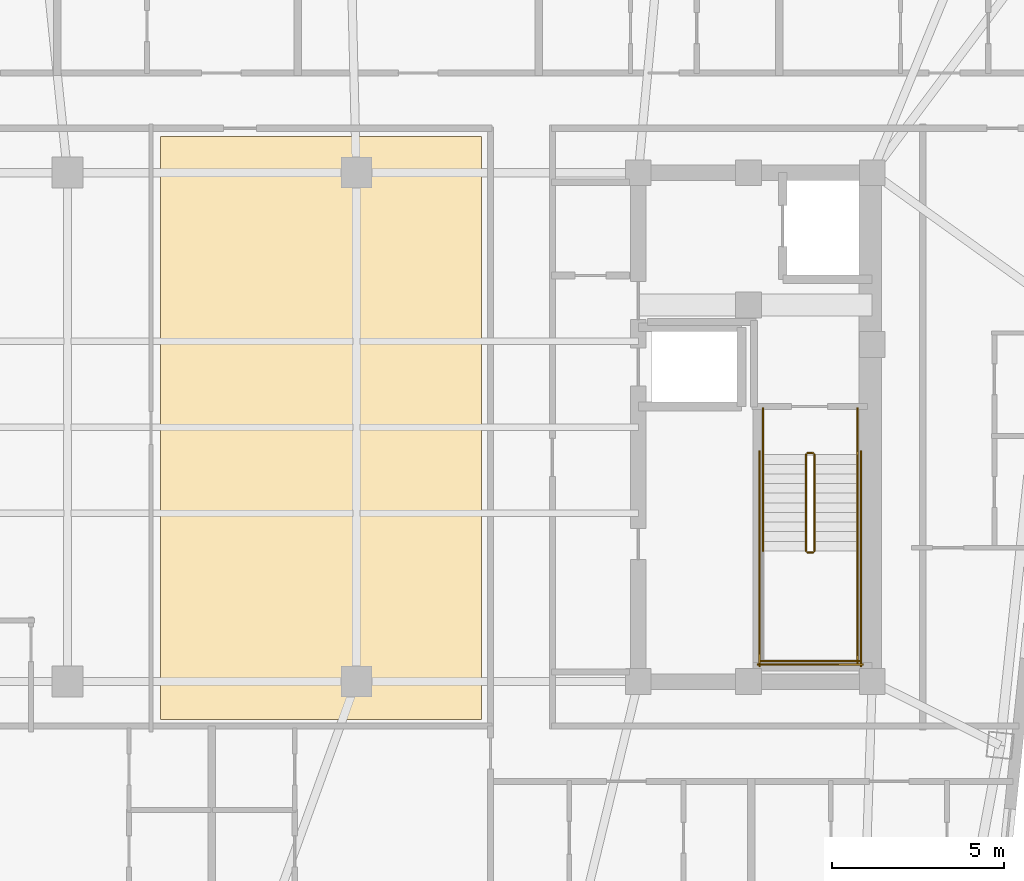
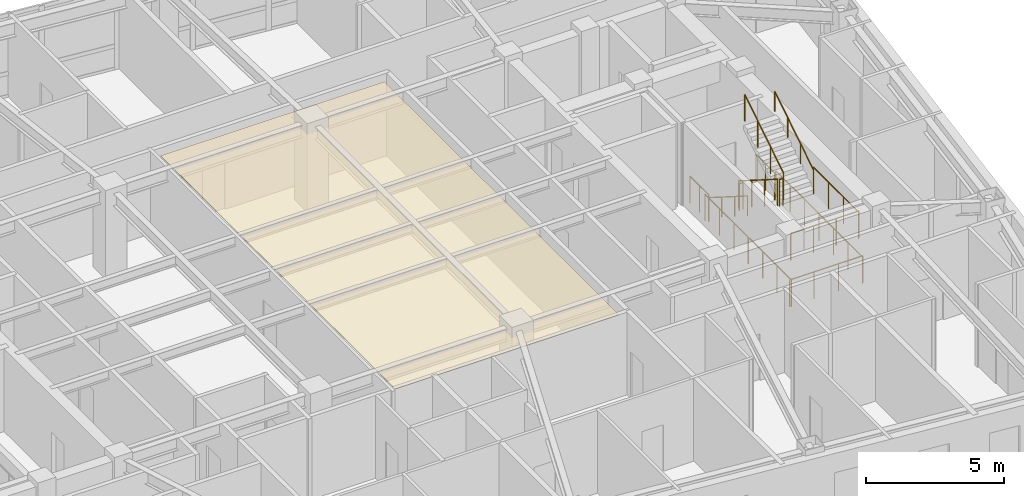
# One storey, part 15 of 16: 13 railings, 1 covering.
"""IFC4 building model written with IfcOpenShell, lengths in metres."""

from ifc_helpers import new_model, si_unit, direction, frame, origin, origin_2d, place, context, subcontext, project, spatial, polyline, circle, outline, extrude, material, layer, layer_set, type_object, element, save


model = new_model("IFC4")

# Units and contexts
model_context = context("Model", 3, precision=1e-05, world=origin(), true_north=direction((0.0, 1.0)))
body_context = subcontext(model_context, "Body", "Model", "MODEL_VIEW")
ifc_project = project(units=[si_unit("LENGTHUNIT", "METRE"), si_unit("AREAUNIT", "SQUARE_METRE"), si_unit("VOLUMEUNIT", "CUBIC_METRE"), si_unit("PLANEANGLEUNIT", "RADIAN"), si_unit("MASSUNIT", "GRAM", prefix="KILO")], contexts=[model_context])

# Site, building, storey
site_placement = place(None, origin())
site = spatial("IfcSite", under=ifc_project, at=site_placement, CompositionType="ELEMENT")
building_placement = place(site_placement, origin())
building = spatial("IfcBuilding", under=site, at=building_placement, Name="Voryun Gate Residences", CompositionType="ELEMENT")
storey_placement = place(building_placement, frame((0.0, 0.0, 267.800048828125)))
storey = spatial("IfcBuildingStorey", under=building, at=storey_placement, Name="L66", CompositionType="ELEMENT", Elevation=267.800048828125)

# Covering
ifc_material_1 = material(Name="Gypsum acoustic ceiling")
ifc_layer = layer(ifc_material_1, 0.02490234375, Name="COV_CEILING_ACOUSTIC")
ifc_layer_set = layer_set([ifc_layer], Name="Gypsum acoustic ceiling")
covering_type = type_object("IfcCoveringType", Name="COV_CEILING_ACOUSTIC", PredefinedType="CEILING", material=ifc_layer_set)
covering_placement = place(storey_placement, frame((0.0, 0.0, 3.39990234375)))
element("IfcCovering", 1, at=covering_placement, inside=storey, type_object=covering_type, Name="Acoustic ceiling CLG-L66-01", PredefinedType="CEILING", context=body_context, shape_type="SweptSolid", body=[
    extrude(outline(polyline([(-1.492919921875, -8.5), (-1.492919921875, 8.449951171875), (7.840087890625, 8.449951171875), (7.840087890625, -8.5), (-1.492919921875, -8.5)])), origin(), (0.0, 0.0, 1.0), 0.025146484375),
])

# Railings
ifc_material_2 = material(Name="Painted steel", Category="steel")
railing_type_1 = type_object("IfcRailingType", Name="RAIL_STAIR_GUARD_1200", PredefinedType="GUARDRAIL", material=ifc_material_2)
railing_1_placement = place(storey_placement, frame((17.27490234375, -0.800048828125, 0.17724609375)))
element("IfcRailing", 2, at=railing_1_placement, inside=storey, type_object=railing_type_1, Name="L66 ST-E1 stair guard 1", PredefinedType="GUARDRAIL", context=body_context, shape_type="SweptSolid", body=[
    extrude(circle(Radius=0.02392578125, at=origin_2d()), frame((0.0, 0.0, 1.17578125), z_axis=(0.0, -0.844908973607, 0.534910110503), x_axis=(1.0, 0.0, 0.0)), (0.0, 0.0, 1.0), 3.31396484375),
    extrude(circle(Radius=0.02099609375, at=origin_2d()), origin(), (0.0, 0.0, 1.0), 1.15185546875),
    extrude(circle(Radius=0.02099609375, at=origin_2d()), frame((0.0, -0.933349609375, 0.5908203125)), (0.0, 0.0, 1.0), 1.15185546875),
    extrude(circle(Radius=0.02099609375, at=origin_2d()), frame((0.0, -1.86669921875, 1.181884765625)), (0.0, 0.0, 1.0), 1.15185546875),
    extrude(circle(Radius=0.02099609375, at=origin_2d()), frame((0.0, -2.800048828125, 1.772705078125)), (0.0, 0.0, 1.0), 1.15185546875),
])
railing_2_placement = place(storey_placement, frame((17.324951171875, -3.64990234375, 1.949951171875)))
element("IfcRailing", 3, at=railing_2_placement, inside=storey, type_object=railing_type_1, Name="L66 ST-E1 stair guard 2", PredefinedType="GUARDRAIL", context=body_context, shape_type="SweptSolid", body=[
    extrude(circle(Radius=0.02392578125, at=origin_2d()), frame((0.0, 0.0, 1.17578125), z_axis=(1.0, 0.0, 0.0), x_axis=(0.0, 1.0, 0.0)), (0.0, 0.0, 1.0), 0.150146484375),
    extrude(circle(Radius=0.02099609375, at=origin_2d()), origin(), (0.0, 0.0, 1.0), 1.15185546875),
    extrude(circle(Radius=0.02099609375, at=origin_2d()), frame((0.150146484375, 0.0, 0.0)), (0.0, 0.0, 1.0), 1.15185546875),
])
railing_3_placement = place(storey_placement, frame((18.77490234375, -3.60009765625, 1.949951171875)))
element("IfcRailing", 4, at=railing_3_placement, inside=storey, type_object=railing_type_1, Name="L66 ST-E1 stair guard 4", PredefinedType="GUARDRAIL", context=body_context, shape_type="SweptSolid", body=[
    extrude(circle(Radius=0.02392578125, at=origin_2d()), frame((0.0, 0.0, 1.17578125), z_axis=(0.0, -1.0, 0.0), x_axis=(1.0, 0.0, 0.0)), (0.0, 0.0, 1.0), 3.25),
    extrude(circle(Radius=0.02099609375, at=origin_2d()), origin(), (0.0, 0.0, 1.0), 1.15185546875),
    extrude(circle(Radius=0.02099609375, at=origin_2d()), frame((0.0, -1.083251953125, 0.0)), (0.0, 0.0, 1.0), 1.15185546875),
    extrude(circle(Radius=0.02099609375, at=origin_2d()), frame((0.0, -2.166748046875, 0.0)), (0.0, 0.0, 1.0), 1.15185546875),
    extrude(circle(Radius=0.02099609375, at=origin_2d()), frame((0.0, -3.25, 0.0)), (0.0, 0.0, 1.0), 1.15185546875),
])
railing_4_placement = place(storey_placement, frame((15.97509765625, -6.800048828125, 1.949951171875)))
element("IfcRailing", 5, at=railing_4_placement, inside=storey, type_object=railing_type_1, Name="L66 ST-E1 stair guard 5", PredefinedType="GUARDRAIL", context=body_context, shape_type="SweptSolid", body=[
    extrude(circle(Radius=0.02392578125, at=origin_2d()), frame((0.0, 0.0, 1.17578125), z_axis=(1.0, 0.0, 0.0), x_axis=(0.0, 1.0, 0.0)), (0.0, 0.0, 1.0), 2.849853515625),
    extrude(circle(Radius=0.02099609375, at=origin_2d()), origin(), (0.0, 0.0, 1.0), 1.15185546875),
    extrude(circle(Radius=0.02099609375, at=origin_2d()), frame((0.949951171875, 0.0, 0.0)), (0.0, 0.0, 1.0), 1.15185546875),
    extrude(circle(Radius=0.02099609375, at=origin_2d()), frame((1.89990234375, 0.0, 0.0)), (0.0, 0.0, 1.0), 1.15185546875),
    extrude(circle(Radius=0.02099609375, at=origin_2d()), frame((2.849853515625, 0.0, 0.0)), (0.0, 0.0, 1.0), 1.15185546875),
])
railing_5_placement = place(storey_placement, frame((17.52490234375, -3.60009765625, 2.127197265625)))
element("IfcRailing", 6, at=railing_5_placement, inside=storey, type_object=railing_type_1, Name="L66 ST-E1 stair guard 6", PredefinedType="GUARDRAIL", context=body_context, shape_type="SweptSolid", body=[
    extrude(circle(Radius=0.02392578125, at=origin_2d()), frame((0.0, 0.0, 1.17578125), z_axis=(0.0, 0.844908973607, 0.534910110503), x_axis=(-1.0, 0.0, 0.0)), (0.0, 0.0, 1.0), 3.31396484375),
    extrude(circle(Radius=0.02099609375, at=origin_2d()), origin(), (0.0, 0.0, 1.0), 1.15185546875),
    extrude(circle(Radius=0.02099609375, at=origin_2d()), frame((0.0, 0.933349609375, 0.5908203125)), (0.0, 0.0, 1.0), 1.15185546875),
    extrude(circle(Radius=0.02099609375, at=origin_2d()), frame((0.0, 1.86669921875, 1.181884765625)), (0.0, 0.0, 1.0), 1.15185546875),
    extrude(circle(Radius=0.02099609375, at=origin_2d()), frame((0.0, 2.800048828125, 1.772705078125)), (0.0, 0.0, 1.0), 1.15185546875),
])
railing_6_placement = place(storey_placement, frame((17.324951171875, -0.75, 0.0)))
element("IfcRailing", 7, at=railing_6_placement, inside=storey, type_object=railing_type_1, Name="L66 ST-E1 stair guard 7", PredefinedType="GUARDRAIL", context=body_context, shape_type="SweptSolid", body=[
    extrude(circle(Radius=0.02392578125, at=origin_2d()), frame((0.0, 0.0, 1.17578125), z_axis=(1.0, 0.0, 0.0), x_axis=(0.0, 1.0, 0.0)), (0.0, 0.0, 1.0), 0.150146484375),
    extrude(circle(Radius=0.02099609375, at=origin_2d()), origin(), (0.0, 0.0, 1.0), 1.15185546875),
    extrude(circle(Radius=0.02099609375, at=origin_2d()), frame((0.150146484375, 0.0, 0.0)), (0.0, 0.0, 1.0), 1.15185546875),
])
for number, where, name in (
    (8, (16.02490234375, 0.550048828125, 0.0), "L66 ST-E1 stair guard 8"),
    (9, (18.77490234375, 0.550048828125, 0.0), "L66 ST-E1 stair guard 9"),
):
    element("IfcRailing", number, at=place(storey_placement, frame(where)), inside=storey, type_object=railing_type_1, Name=name, PredefinedType="GUARDRAIL", context=body_context, shape_type="SweptSolid", body=[
        extrude(circle(Radius=0.02392578125, at=origin_2d()), frame((0.0, 0.0, 1.17578125), z_axis=(0.0, -1.0, 0.0), x_axis=(1.0, 0.0, 0.0)), (0.0, 0.0, 1.0), 1.35009765625),
        extrude(circle(Radius=0.02099609375, at=origin_2d()), origin(), (0.0, 0.0, 1.0), 1.15185546875),
        extrude(circle(Radius=0.02099609375, at=origin_2d()), frame((0.0, -0.675048828125, 0.0)), (0.0, 0.0, 1.0), 1.15185546875),
        extrude(circle(Radius=0.02099609375, at=origin_2d()), frame((0.0, -1.35009765625, 0.0)), (0.0, 0.0, 1.0), 1.15185546875),
    ])
for number, where, name in (
    (10, (15.925048828125, -0.699951171875, 0.0), "L66 ST-E1 stair guard 10"),
    (11, (18.875, -0.699951171875, 0.0), "L66 ST-E1 stair guard 11"),
):
    element("IfcRailing", number, at=place(storey_placement, frame(where)), inside=storey, type_object=railing_type_1, Name=name, PredefinedType="GUARDRAIL", context=body_context, shape_type="SweptSolid", body=[
        extrude(circle(Radius=0.02392578125, at=origin_2d()), frame((0.0, 0.0, 1.17578125), z_axis=(0.0, -1.0, 0.0), x_axis=(1.0, 0.0, 0.0)), (0.0, 0.0, 1.0), 6.25),
        extrude(circle(Radius=0.02099609375, at=origin_2d()), origin(), (0.0, 0.0, 1.0), 1.15185546875),
        extrude(circle(Radius=0.02099609375, at=origin_2d()), frame((0.0, -1.041748046875, 0.0)), (0.0, 0.0, 1.0), 1.15185546875),
        extrude(circle(Radius=0.02099609375, at=origin_2d()), frame((0.0, -2.083251953125, 0.0)), (0.0, 0.0, 1.0), 1.15185546875),
        extrude(circle(Radius=0.02099609375, at=origin_2d()), frame((0.0, -3.125, 0.0)), (0.0, 0.0, 1.0), 1.15185546875),
        extrude(circle(Radius=0.02099609375, at=origin_2d()), frame((0.0, -4.166748046875, 0.0)), (0.0, 0.0, 1.0), 1.15185546875),
        extrude(circle(Radius=0.02099609375, at=origin_2d()), frame((0.0, -5.208251953125, 0.0)), (0.0, 0.0, 1.0), 1.15185546875),
        extrude(circle(Radius=0.02099609375, at=origin_2d()), frame((0.0, -6.25, 0.0)), (0.0, 0.0, 1.0), 1.15185546875),
    ])
railing_7_placement = place(storey_placement, frame((15.875, -6.89990234375, 0.0)))
element("IfcRailing", 12, at=railing_7_placement, inside=storey, type_object=railing_type_1, Name="L66 ST-E1 stair guard 12", PredefinedType="GUARDRAIL", context=body_context, shape_type="SweptSolid", body=[
    extrude(circle(Radius=0.02392578125, at=origin_2d()), frame((0.0, 0.0, 1.17578125), z_axis=(1.0, 0.0, 0.0), x_axis=(0.0, 1.0, 0.0)), (0.0, 0.0, 1.0), 3.050048828125),
    extrude(circle(Radius=0.02099609375, at=origin_2d()), origin(), (0.0, 0.0, 1.0), 1.15185546875),
    extrude(circle(Radius=0.02099609375, at=origin_2d()), frame((1.0166015625, 0.0, 0.0)), (0.0, 0.0, 1.0), 1.15185546875),
    extrude(circle(Radius=0.02099609375, at=origin_2d()), frame((2.033447265625, 0.0, 0.0)), (0.0, 0.0, 1.0), 1.15185546875),
    extrude(circle(Radius=0.02099609375, at=origin_2d()), frame((3.050048828125, 0.0, 0.0)), (0.0, 0.0, 1.0), 1.15185546875),
])
ifc_material_3 = material(Name="Painted steel", Category="steel")
railing_type_2 = type_object("IfcRailingType", Name="RAIL_STAIR_HANDRAIL_900", PredefinedType="HANDRAIL", material=ifc_material_3)
railing_8_placement = place(storey_placement, frame((16.02490234375, -0.800048828125, 0.17724609375)))
element("IfcRailing", 13, at=railing_8_placement, inside=storey, type_object=railing_type_2, Name="L66 ST-E1 stair handrail 1", PredefinedType="HANDRAIL", context=body_context, shape_type="SweptSolid", body=[
    extrude(circle(Radius=0.02392578125, at=origin_2d()), frame((0.0, 0.0, 0.8759765625), z_axis=(0.0, -0.844908973607, 0.534910110503), x_axis=(1.0, 0.0, 0.0)), (0.0, 0.0, 1.0), 3.31396484375),
    extrude(circle(Radius=0.02099609375, at=origin_2d()), origin(), (0.0, 0.0, 1.0), 0.851806640625),
    extrude(circle(Radius=0.02099609375, at=origin_2d()), frame((0.0, -0.933349609375, 0.5908203125)), (0.0, 0.0, 1.0), 0.851806640625),
    extrude(circle(Radius=0.02099609375, at=origin_2d()), frame((0.0, -1.86669921875, 1.181884765625)), (0.0, 0.0, 1.0), 0.851806640625),
    extrude(circle(Radius=0.02099609375, at=origin_2d()), frame((0.0, -2.800048828125, 1.772705078125)), (0.0, 0.0, 1.0), 0.851806640625),
])
railing_9_placement = place(storey_placement, frame((18.77490234375, -3.60009765625, 2.127197265625)))
element("IfcRailing", 14, at=railing_9_placement, inside=storey, type_object=railing_type_2, Name="L66 ST-E1 stair handrail 2", PredefinedType="HANDRAIL", context=body_context, shape_type="SweptSolid", body=[
    extrude(circle(Radius=0.02392578125, at=origin_2d()), frame((0.0, 0.0, 0.8759765625), z_axis=(0.0, 0.844908973607, 0.534910110503), x_axis=(-1.0, 0.0, 0.0)), (0.0, 0.0, 1.0), 3.31396484375),
    extrude(circle(Radius=0.02099609375, at=origin_2d()), origin(), (0.0, 0.0, 1.0), 0.851806640625),
    extrude(circle(Radius=0.02099609375, at=origin_2d()), frame((0.0, 0.933349609375, 0.5908203125)), (0.0, 0.0, 1.0), 0.851806640625),
    extrude(circle(Radius=0.02099609375, at=origin_2d()), frame((0.0, 1.86669921875, 1.181884765625)), (0.0, 0.0, 1.0), 0.851806640625),
    extrude(circle(Radius=0.02099609375, at=origin_2d()), frame((0.0, 2.800048828125, 1.772705078125)), (0.0, 0.0, 1.0), 0.851806640625),
])

save(model, "model.ifc")
